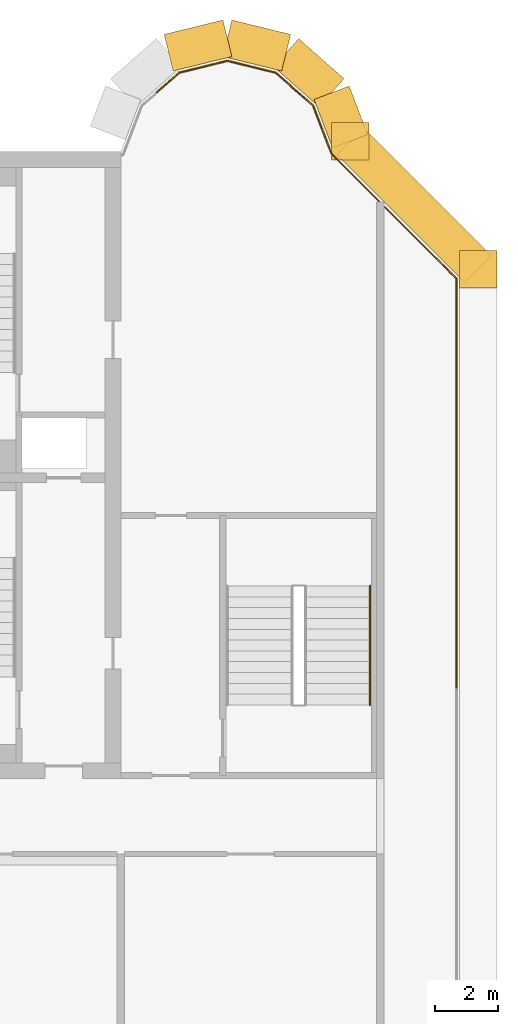
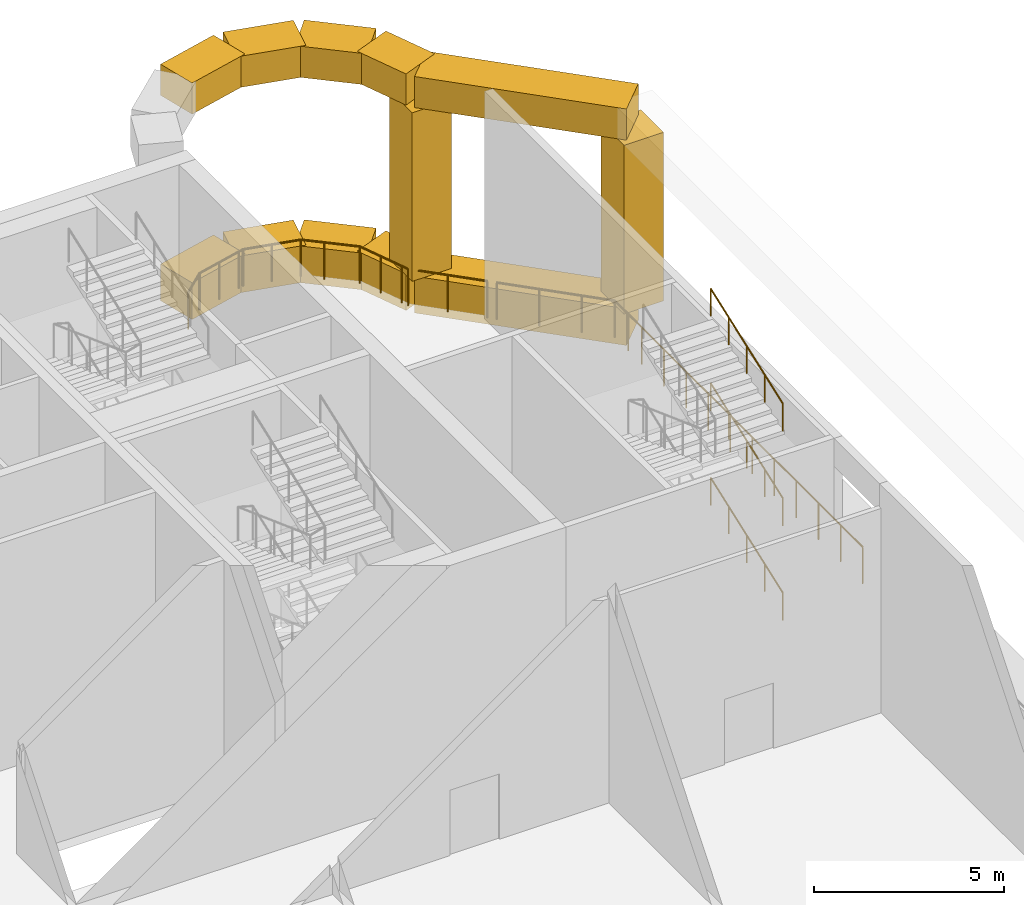
# One storey, part 11 of 11: 14 railings, 12 coverings.
"""IFC4 building model written with IfcOpenShell, lengths in metres."""

from ifc_helpers import new_model, si_unit, direction, frame, origin, origin_2d, place, context, subcontext, project, spatial, rectangle, circle, extrude, source, transform, mapped, material, type_object, element, save


model = new_model("IFC4")

# Units and contexts
model_context = context("Model", 3, precision=1e-05, world=origin(), true_north=direction((0.0, 1.0)))
body_context = subcontext(model_context, "Body", "Model", "MODEL_VIEW")
ifc_project = project(units=[si_unit("LENGTHUNIT", "METRE"), si_unit("AREAUNIT", "SQUARE_METRE"), si_unit("VOLUMEUNIT", "CUBIC_METRE"), si_unit("PLANEANGLEUNIT", "RADIAN"), si_unit("MASSUNIT", "GRAM", prefix="KILO")], contexts=[model_context])

# Site, building, storey
site_placement = place(None, origin())
site = spatial("IfcSite", under=ifc_project, at=site_placement, CompositionType="ELEMENT")
building_placement = place(site_placement, origin())
building = spatial("IfcBuilding", under=site, at=building_placement, Name="Vanashikhar Sky Hotel", CompositionType="ELEMENT")
storey_placement = place(building_placement, frame((0.0, 0.0, 270.10009765625)))
storey = spatial("IfcBuildingStorey", under=building, at=storey_placement, Name="L65", CompositionType="ELEMENT", Elevation=270.10009765625)

# Railings
ifc_material_1 = material(Name="Stainless steel 316", Category="steel")
railing_type_1 = type_object("IfcRailingType", Name="Open edge guard 1200", PredefinedType="GUARDRAIL", material=ifc_material_1)
shared_shape_1 = source(origin(), body_context, "Body", "SweptSolid", [
    extrude(circle(Radius=0.02392578125, at=origin_2d()), frame((0.0, 0.0, 1.17578125), z_axis=(0.749747186246, 0.661724381231, 0.0), x_axis=(-0.661724381231, 0.749747186246, 0.0)), (0.0, 0.0, 1.0), 0.943115234375),
    extrude(circle(Radius=0.02392578125, at=origin_2d()), frame((0.70703125, 0.6240234375, 1.17578125), z_axis=(0.971158629261, 0.238434302928, 0.0), x_axis=(-0.238434302928, 0.971158629261, 0.0)), (0.0, 0.0, 1.0), 1.429443359375),
    extrude(circle(Radius=0.02099609375, at=origin_2d()), origin(), (0.0, 0.0, 1.0), 1.15185546875),
    extrude(circle(Radius=0.02099609375, at=origin_2d()), frame((0.70703125, 0.6240234375, 0.0)), (0.0, 0.0, 1.0), 1.15185546875),
    extrude(circle(Radius=0.02099609375, at=origin_2d()), frame((1.401123046875, 0.79443359375, 0.0)), (0.0, 0.0, 1.0), 1.15185546875),
    extrude(circle(Radius=0.02099609375, at=origin_2d()), frame((2.09521484375, 0.96484375, 0.0)), (0.0, 0.0, 1.0), 1.15185546875),
])
railing_1_placement = place(storey_placement, frame((76.752685546875, 43.894775390625, 0.0)))
element("IfcRailing", 1, at=railing_1_placement, inside=storey, type_object=railing_type_1, Name="Open edge guard", PredefinedType="GUARDRAIL", context=body_context, shape_type="MappedRepresentation", body=[
    mapped(shared_shape_1, transform((0.0, 0.0, 0.0), scale=1.0)),
])
shared_shape_2 = source(origin(), body_context, "Body", "SweptSolid", [
    extrude(circle(Radius=0.02392578125, at=origin_2d()), frame((0.0, 0.0, 1.17578125), z_axis=(0.971142756738, 0.238498943469, 0.0), x_axis=(-0.238498943469, 0.971142756738, 0.0)), (0.0, 0.0, 1.0), 0.15673828125),
    extrude(circle(Radius=0.02392578125, at=origin_2d()), frame((0.152099609375, 0.037353515625, 1.17578125), z_axis=(0.971157062052, -0.238440686181, 0.0), x_axis=(0.238440686181, 0.971157062052, 0.0)), (0.0, 0.0, 1.0), 1.5859375),
    extrude(circle(Radius=0.02392578125, at=origin_2d()), frame((1.6923828125, -0.3408203125, 1.17578125), z_axis=(0.749713466522, -0.661762584403, 0.0), x_axis=(0.661762584403, 0.749713466522, 0.0)), (0.0, 0.0, 1.0), 0.630126953125),
    extrude(circle(Radius=0.02099609375, at=origin_2d()), origin(), (0.0, 0.0, 1.0), 1.15185546875),
    extrude(circle(Radius=0.02099609375, at=origin_2d()), frame((0.152099609375, 0.037353515625, 0.0)), (0.0, 0.0, 1.0), 1.15185546875),
    extrude(circle(Radius=0.02099609375, at=origin_2d()), frame((0.92236328125, -0.15185546875, 0.0)), (0.0, 0.0, 1.0), 1.15185546875),
    extrude(circle(Radius=0.02099609375, at=origin_2d()), frame((1.6923828125, -0.3408203125, 0.0)), (0.0, 0.0, 1.0), 1.15185546875),
    extrude(circle(Radius=0.02099609375, at=origin_2d()), frame((2.164794921875, -0.7578125, 0.0)), (0.0, 0.0, 1.0), 1.15185546875),
])
railing_2_placement = place(storey_placement, frame((78.847900390625, 44.859619140625, 0.0)))
element("IfcRailing", 2, at=railing_2_placement, inside=storey, type_object=railing_type_1, Name="Open edge guard", PredefinedType="GUARDRAIL", context=body_context, shape_type="MappedRepresentation", body=[
    mapped(shared_shape_2, transform((0.0, 0.0, 0.0), scale=1.0)),
])

# Coverings
ifc_material_2 = material(Name="Concrete M60 dark", Category="concrete")
covering_type = type_object("IfcCoveringType", Name="Wind floor portal frame", PredefinedType="CLADDING", material=ifc_material_2)
shared_shape_3 = source(origin(), body_context, "Body", "SweptSolid", [
    extrude(rectangle(XDim=5.777587890625, YDim=1.199951171875, at=origin_2d()), origin(), (0.0, 0.0, 1.0), 1.0),
])
covering_1_placement = place(storey_placement, frame((84.957275390625, 40.291259765625, 6.31982421875), z_axis=(0.0, 0.0, 1.0), x_axis=(-0.707106781187, 0.707106781187, 0.0)))
element("IfcCovering", 3, at=covering_1_placement, inside=storey, type_object=covering_type, Name="Portal frame head", PredefinedType="CLADDING", context=body_context, shape_type="MappedRepresentation", body=[
    mapped(shared_shape_3, transform((0.0, 0.0, 0.0), scale=1.0)),
])
shared_shape_4 = source(origin(), body_context, "Body", "SweptSolid", [
    extrude(rectangle(XDim=1.65478515625, YDim=1.199951171875, at=origin_2d()), origin(), (0.0, 0.0, 1.0), 1.0),
])
covering_2_placement = place(storey_placement, frame((82.61865234375, 43.106689453125, 6.31982421875), z_axis=(0.0, 0.0, 1.0), x_axis=(-0.357716100175, 0.933830386995, 0.0)))
element("IfcCovering", 4, at=covering_2_placement, inside=storey, type_object=covering_type, Name="Portal frame head", PredefinedType="CLADDING", context=body_context, shape_type="MappedRepresentation", body=[
    mapped(shared_shape_4, transform((0.0, 0.0, 0.0), scale=1.0)),
])
shared_shape_5 = source(origin(), body_context, "Body", "SweptSolid", [
    extrude(rectangle(XDim=1.65478515625, YDim=1.199951171875, at=origin_2d()), origin(), (0.0, 0.0, 1.0), 1.179931640625),
])
covering_3_placement = place(storey_placement, frame((82.61865234375, 43.106689453125, -0.2802734375), z_axis=(0.0, 0.0, 1.0), x_axis=(-0.357716100175, 0.933830386995, 0.0)))
element("IfcCovering", 5, at=covering_3_placement, inside=storey, type_object=covering_type, Name="Portal frame sill", PredefinedType="CLADDING", context=body_context, shape_type="MappedRepresentation", body=[
    mapped(shared_shape_5, transform((0.0, 0.0, 0.0), scale=1.0)),
])
shared_shape_6 = source(origin(), body_context, "Body", "SweptSolid", [
    extrude(rectangle(XDim=1.931640625, YDim=1.199951171875, at=origin_2d()), origin(), (0.0, 0.0, 1.0), 1.0),
])
covering_4_placement = place(storey_placement, frame((81.598388671875, 44.518310546875, 6.31982421875), z_axis=(0.0, 0.0, 1.0), x_axis=(-0.749741606437, 0.661730703214, 0.0)))
element("IfcCovering", 6, at=covering_4_placement, inside=storey, type_object=covering_type, Name="Portal frame head", PredefinedType="CLADDING", context=body_context, shape_type="MappedRepresentation", body=[
    mapped(shared_shape_6, transform((0.0, 0.0, 0.0), scale=1.0)),
])
shared_shape_7 = source(origin(), body_context, "Body", "SweptSolid", [
    extrude(rectangle(XDim=1.931640625, YDim=1.199951171875, at=origin_2d()), origin(), (0.0, 0.0, 1.0), 1.179931640625),
])
covering_5_placement = place(storey_placement, frame((81.598388671875, 44.518310546875, -0.2802734375), z_axis=(0.0, 0.0, 1.0), x_axis=(-0.749741606437, 0.661730703214, 0.0)))
element("IfcCovering", 7, at=covering_5_placement, inside=storey, type_object=covering_type, Name="Portal frame sill", PredefinedType="CLADDING", context=body_context, shape_type="MappedRepresentation", body=[
    mapped(shared_shape_7, transform((0.0, 0.0, 0.0), scale=1.0)),
])
shared_shape_8 = source(origin(), body_context, "Body", "SweptSolid", [
    extrude(rectangle(XDim=1.93017578125, YDim=1.199951171875, at=origin_2d()), origin(), (0.0, 0.0, 1.0), 1.0),
])
for number, where, z_axis, x_axis, name in (
    (8, (79.937255859375, 45.3876953125, 6.31982421875), (0.0, 0.0, 1.0), (-0.971146768161, 0.23848260878, 0.0), "Portal frame head"),
    (9, (78.062744140625, 45.3876953125, 6.31982421875), (0.0, 0.0, 1.0), (-0.971146768161, -0.23848260878, 0.0), "Portal frame head"),
):
    element("IfcCovering", number, at=place(storey_placement, frame(where, z_axis=z_axis, x_axis=x_axis)), inside=storey, type_object=covering_type, Name=name, PredefinedType="CLADDING", context=body_context, shape_type="MappedRepresentation", body=[
        mapped(shared_shape_8, transform((0.0, 0.0, 0.0), scale=1.0)),
    ])
shared_shape_9 = source(origin(), body_context, "Body", "SweptSolid", [
    extrude(rectangle(XDim=1.93017578125, YDim=1.199951171875, at=origin_2d()), origin(), (0.0, 0.0, 1.0), 1.179931640625),
])
for number, where, z_axis, x_axis, name in (
    (10, (79.937255859375, 45.3876953125, -0.2802734375), (0.0, 0.0, 1.0), (-0.971146768161, 0.23848260878, 0.0), "Portal frame sill"),
    (11, (78.062744140625, 45.3876953125, -0.2802734375), (0.0, 0.0, 1.0), (-0.971146768161, -0.23848260878, 0.0), "Portal frame sill"),
):
    element("IfcCovering", number, at=place(storey_placement, frame(where, z_axis=z_axis, x_axis=x_axis)), inside=storey, type_object=covering_type, Name=name, PredefinedType="CLADDING", context=body_context, shape_type="MappedRepresentation", body=[
        mapped(shared_shape_9, transform((0.0, 0.0, 0.0), scale=1.0)),
    ])
shared_shape_10 = source(origin(), body_context, "Body", "SweptSolid", [
    extrude(rectangle(XDim=1.199951171875, YDim=1.199951171875, at=origin_2d()), origin(), (0.0, 0.0, 1.0), 5.419921875),
])
for number, where, z_axis, x_axis, name in (
    (12, (87.0, 38.24853515625, 0.89990234375), (0.0, 0.0, 1.0), (1.0, 0.0, 0.0), "Portal frame jamb"),
    (13, (82.91455078125, 42.333984375, 0.89990234375), (0.0, 0.0, 1.0), (1.0, 0.0, 0.0), "Portal frame jamb"),
):
    element("IfcCovering", number, at=place(storey_placement, frame(where, z_axis=z_axis, x_axis=x_axis)), inside=storey, type_object=covering_type, Name=name, PredefinedType="CLADDING", context=body_context, shape_type="MappedRepresentation", body=[
        mapped(shared_shape_10, transform((0.0, 0.0, 0.0), scale=1.0)),
    ])

# Railings
shared_shape_11 = source(origin(), body_context, "Body", "SweptSolid", [
    extrude(circle(Radius=0.02392578125, at=origin_2d()), frame((0.0, 0.0, 1.17578125), z_axis=(0.749726216276, -0.661748139876, 0.0), x_axis=(0.661748139876, 0.749726216276, 0.0)), (0.0, 0.0, 1.0), 0.957275390625),
    extrude(circle(Radius=0.02392578125, at=origin_2d()), frame((0.7177734375, -0.633544921875, 1.17578125), z_axis=(0.357788104639, -0.933802801548, 0.0), x_axis=(0.933802801548, 0.357788104639, 0.0)), (0.0, 0.0, 1.0), 1.415283203125),
    extrude(circle(Radius=0.02099609375, at=origin_2d()), origin(), (0.0, 0.0, 1.0), 1.15185546875),
    extrude(circle(Radius=0.02099609375, at=origin_2d()), frame((0.7177734375, -0.633544921875, 0.0)), (0.0, 0.0, 1.0), 1.15185546875),
    extrude(circle(Radius=0.02099609375, at=origin_2d()), frame((0.970947265625, -1.29443359375, 0.0)), (0.0, 0.0, 1.0), 1.15185546875),
    extrude(circle(Radius=0.02099609375, at=origin_2d()), frame((1.22412109375, -1.955078125, 0.0)), (0.0, 0.0, 1.0), 1.15185546875),
])
railing_3_placement = place(storey_placement, frame((81.0126953125, 44.101806640625, 0.0)))
element("IfcRailing", 14, at=railing_3_placement, inside=storey, type_object=railing_type_1, Name="Open edge guard", PredefinedType="GUARDRAIL", context=body_context, shape_type="MappedRepresentation", body=[
    mapped(shared_shape_11, transform((0.0, 0.0, 0.0), scale=1.0)),
])
shared_shape_12 = source(origin(), body_context, "Body", "SweptSolid", [
    extrude(circle(Radius=0.02392578125, at=origin_2d()), frame((0.0, 0.0, 1.17578125), z_axis=(0.357166377843, -0.934040779912, 0.0), x_axis=(0.934040779912, 0.357166377843, 0.0)), (0.0, 0.0, 1.0), 0.216796875),
    extrude(circle(Radius=0.02392578125, at=origin_2d()), frame((0.077392578125, -0.202392578125, 1.17578125), z_axis=(0.707106781187, -0.707106781187, 0.0), x_axis=(0.707106781187, 0.707106781187, 0.0)), (0.0, 0.0, 1.0), 2.15576171875),
    extrude(circle(Radius=0.02099609375, at=origin_2d()), origin(), (0.0, 0.0, 1.0), 1.15185546875),
    extrude(circle(Radius=0.02099609375, at=origin_2d()), frame((0.077392578125, -0.202392578125, 0.0)), (0.0, 0.0, 1.0), 1.15185546875),
    extrude(circle(Radius=0.02099609375, at=origin_2d()), frame((0.839599609375, -0.964599609375, 0.0)), (0.0, 0.0, 1.0), 1.15185546875),
    extrude(circle(Radius=0.02099609375, at=origin_2d()), frame((1.601806640625, -1.726806640625, 0.0)), (0.0, 0.0, 1.0), 1.15185546875),
])
railing_4_placement = place(storey_placement, frame((82.23681640625, 42.146728515625, 0.0)))
element("IfcRailing", 15, at=railing_4_placement, inside=storey, type_object=railing_type_1, Name="Open edge guard", PredefinedType="GUARDRAIL", context=body_context, shape_type="MappedRepresentation", body=[
    mapped(shared_shape_12, transform((0.0, 0.0, 0.0), scale=1.0)),
])
shared_shape_13 = source(origin(), body_context, "Body", "SweptSolid", [
    extrude(circle(Radius=0.02392578125, at=origin_2d()), frame((0.0, 0.0, 1.17578125), z_axis=(0.707106781187, -0.707106781187, 0.0), x_axis=(0.707106781187, 0.707106781187, 0.0)), (0.0, 0.0, 1.0), 2.32421875),
    extrude(circle(Radius=0.02099609375, at=origin_2d()), origin(), (0.0, 0.0, 1.0), 1.15185546875),
    extrude(circle(Radius=0.02099609375, at=origin_2d()), frame((0.82177734375, -0.82177734375, 0.0)), (0.0, 0.0, 1.0), 1.15185546875),
    extrude(circle(Radius=0.02099609375, at=origin_2d()), frame((1.6435546875, -1.6435546875, 0.0)), (0.0, 0.0, 1.0), 1.15185546875),
])
railing_5_placement = place(storey_placement, frame((84.02001953125, 40.238525390625, 0.0)))
element("IfcRailing", 16, at=railing_5_placement, inside=storey, type_object=railing_type_1, Name="Open edge guard", PredefinedType="GUARDRAIL", context=body_context, shape_type="MappedRepresentation", body=[
    mapped(shared_shape_13, transform((0.0, 0.0, 0.0), scale=1.0)),
])
shared_shape_14 = source(origin(), body_context, "Body", "SweptSolid", [
    extrude(circle(Radius=0.02392578125, at=origin_2d()), frame((0.0, 0.0, 1.17578125), z_axis=(0.707106781187, -0.707106781187, 0.0), x_axis=(0.707106781187, 0.707106781187, 0.0)), (0.0, 0.0, 1.0), 0.900146484375),
    extrude(circle(Radius=0.02392578125, at=origin_2d()), frame((0.636474609375, -0.636474609375, 1.17578125), z_axis=(0.0, -1.0, 0.0), x_axis=(1.0, 0.0, 0.0)), (0.0, 0.0, 1.0), 1.42431640625),
    extrude(circle(Radius=0.02099609375, at=origin_2d()), origin(), (0.0, 0.0, 1.0), 1.15185546875),
    extrude(circle(Radius=0.02099609375, at=origin_2d()), frame((0.636474609375, -0.636474609375, 0.0)), (0.0, 0.0, 1.0), 1.15185546875),
    extrude(circle(Radius=0.02099609375, at=origin_2d()), frame((0.636474609375, -1.3486328125, 0.0)), (0.0, 0.0, 1.0), 1.15185546875),
    extrude(circle(Radius=0.02099609375, at=origin_2d()), frame((0.636474609375, -2.060791015625, 0.0)), (0.0, 0.0, 1.0), 1.15185546875),
])
railing_6_placement = place(storey_placement, frame((85.66357421875, 38.594970703125, 0.0)))
element("IfcRailing", 17, at=railing_6_placement, inside=storey, type_object=railing_type_1, Name="Open edge guard", PredefinedType="GUARDRAIL", context=body_context, shape_type="MappedRepresentation", body=[
    mapped(shared_shape_14, transform((0.0, 0.0, 0.0), scale=1.0)),
])
shared_shape_15 = source(origin(), body_context, "Body", "SweptSolid", [
    extrude(circle(Radius=0.02392578125, at=origin_2d()), frame((0.0, 0.0, 1.17578125), z_axis=(0.0, -1.0, 0.0), x_axis=(1.0, 0.0, 0.0)), (0.0, 0.0, 1.0), 2.324462890625),
    extrude(circle(Radius=0.02099609375, at=origin_2d()), origin(), (0.0, 0.0, 1.0), 1.15185546875),
    extrude(circle(Radius=0.02099609375, at=origin_2d()), frame((0.0, -1.162109375, 0.0)), (0.0, 0.0, 1.0), 1.15185546875),
    extrude(circle(Radius=0.02099609375, at=origin_2d()), frame((0.0, -2.324462890625, 0.0)), (0.0, 0.0, 1.0), 1.15185546875),
])
for number, where, name in (
    (18, (86.300048828125, 36.5341796875, 0.0), "Open edge guard"),
    (19, (86.300048828125, 31.885498046875, 0.0), "Open edge guard"),
    (20, (86.300048828125, 29.56103515625, 0.0), "Open edge guard"),
    (21, (86.300048828125, 27.236572265625, 0.0), "Open edge guard"),
):
    element("IfcRailing", number, at=place(storey_placement, frame(where)), inside=storey, type_object=railing_type_1, Name=name, PredefinedType="GUARDRAIL", context=body_context, shape_type="MappedRepresentation", body=[
        mapped(shared_shape_15, transform((0.0, 0.0, 0.0), scale=1.0)),
    ])
shared_shape_16 = source(origin(), body_context, "Body", "SweptSolid", [
    extrude(circle(Radius=0.02392578125, at=origin_2d()), frame((0.0, 0.0, 1.17578125), z_axis=(0.0, -1.0, 0.0), x_axis=(1.0, 0.0, 0.0)), (0.0, 0.0, 1.0), 2.32421875),
    extrude(circle(Radius=0.02099609375, at=origin_2d()), origin(), (0.0, 0.0, 1.0), 1.15185546875),
    extrude(circle(Radius=0.02099609375, at=origin_2d()), frame((0.0, -1.162109375, 0.0)), (0.0, 0.0, 1.0), 1.15185546875),
    extrude(circle(Radius=0.02099609375, at=origin_2d()), frame((0.0, -2.32421875, 0.0)), (0.0, 0.0, 1.0), 1.15185546875),
])
railing_7_placement = place(storey_placement, frame((86.300048828125, 34.209716796875, 0.0)))
element("IfcRailing", 22, at=railing_7_placement, inside=storey, type_object=railing_type_1, Name="Open edge guard", PredefinedType="GUARDRAIL", context=body_context, shape_type="MappedRepresentation", body=[
    mapped(shared_shape_16, transform((0.0, 0.0, 0.0), scale=1.0)),
])

# Covering
shared_shape_17 = source(origin(), body_context, "Body", "SweptSolid", [
    extrude(rectangle(XDim=5.777587890625, YDim=1.199951171875, at=origin_2d()), origin(), (0.0, 0.0, 1.0), 1.179931640625),
])
covering_6_placement = place(storey_placement, frame((84.957275390625, 40.291259765625, -0.2802734375), z_axis=(0.0, 0.0, 1.0), x_axis=(-0.707106781187, 0.707106781187, 0.0)))
element("IfcCovering", 23, at=covering_6_placement, inside=storey, type_object=covering_type, Name="Portal frame sill", PredefinedType="CLADDING", context=body_context, shape_type="MappedRepresentation", body=[
    mapped(shared_shape_17, transform((0.0, 0.0, 0.0), scale=1.0)),
])

# Railings
ifc_material_3 = material(Name="Steel S355", Category="steel")
railing_type_2 = type_object("IfcRailingType", Name="Stair handrail 900", PredefinedType="HANDRAIL", material=ifc_material_3)
shared_shape_18 = source(origin(), body_context, "Body", "SweptSolid", [
    extrude(circle(Radius=0.02392578125, at=origin_2d()), frame((0.0, 0.0, 0.8759765625), z_axis=(0.0, 0.938872416375, 0.344265284005), x_axis=(-1.0, 0.0, 0.0)), (0.0, 0.0, 1.0), 4.047119140625),
    extrude(circle(Radius=0.02099609375, at=origin_2d()), origin(), (0.0, 0.0, 1.0), 0.851806640625),
    extrude(circle(Radius=0.02099609375, at=origin_2d()), frame((0.0, 0.949951171875, 0.348388671875)), (0.0, 0.0, 1.0), 0.851806640625),
    extrude(circle(Radius=0.02099609375, at=origin_2d()), frame((0.0, 1.89990234375, 0.69677734375)), (0.0, 0.0, 1.0), 0.851806640625),
    extrude(circle(Radius=0.02099609375, at=origin_2d()), frame((0.0, 2.849853515625, 1.044921875)), (0.0, 0.0, 1.0), 0.851806640625),
    extrude(circle(Radius=0.02099609375, at=origin_2d()), frame((0.0, 3.7998046875, 1.393310546875)), (0.0, 0.0, 1.0), 0.851806640625),
])
for number, where, name in (
    (24, (83.550048828125, 24.35009765625, 3.16650390625), "Exit stair 4 handrail"),
    (25, (83.550048828125, 24.35009765625, 6.20654296875), "Exit stair 4 handrail"),
):
    element("IfcRailing", number, at=place(storey_placement, frame(where)), inside=storey, type_object=railing_type_2, Name=name, PredefinedType="HANDRAIL", context=body_context, shape_type="MappedRepresentation", body=[
        mapped(shared_shape_18, transform((0.0, 0.0, 0.0), scale=1.0)),
    ])
shared_shape_19 = source(origin(), body_context, "Body", "SweptSolid", [
    extrude(circle(Radius=0.02392578125, at=origin_2d()), frame((0.0, 0.0, 0.8759765625), z_axis=(0.0, 0.938852917494, 0.344318456249), x_axis=(-1.0, 0.0, 0.0)), (0.0, 0.0, 1.0), 4.04736328125),
    extrude(circle(Radius=0.02099609375, at=origin_2d()), origin(), (0.0, 0.0, 1.0), 0.851806640625),
    extrude(circle(Radius=0.02099609375, at=origin_2d()), frame((0.0, 0.949951171875, 0.348388671875)), (0.0, 0.0, 1.0), 0.851806640625),
    extrude(circle(Radius=0.02099609375, at=origin_2d()), frame((0.0, 1.89990234375, 0.69677734375)), (0.0, 0.0, 1.0), 0.851806640625),
    extrude(circle(Radius=0.02099609375, at=origin_2d()), frame((0.0, 2.849853515625, 1.045166015625)), (0.0, 0.0, 1.0), 0.851806640625),
    extrude(circle(Radius=0.02099609375, at=origin_2d()), frame((0.0, 3.7998046875, 1.3935546875)), (0.0, 0.0, 1.0), 0.851806640625),
])
railing_8_placement = place(storey_placement, frame((83.550048828125, 24.35009765625, 0.12646484375)))
element("IfcRailing", 26, at=railing_8_placement, inside=storey, type_object=railing_type_2, Name="Exit stair 4 handrail", PredefinedType="HANDRAIL", context=body_context, shape_type="MappedRepresentation", body=[
    mapped(shared_shape_19, transform((0.0, 0.0, 0.0), scale=1.0)),
])

save(model, "model.ifc")
